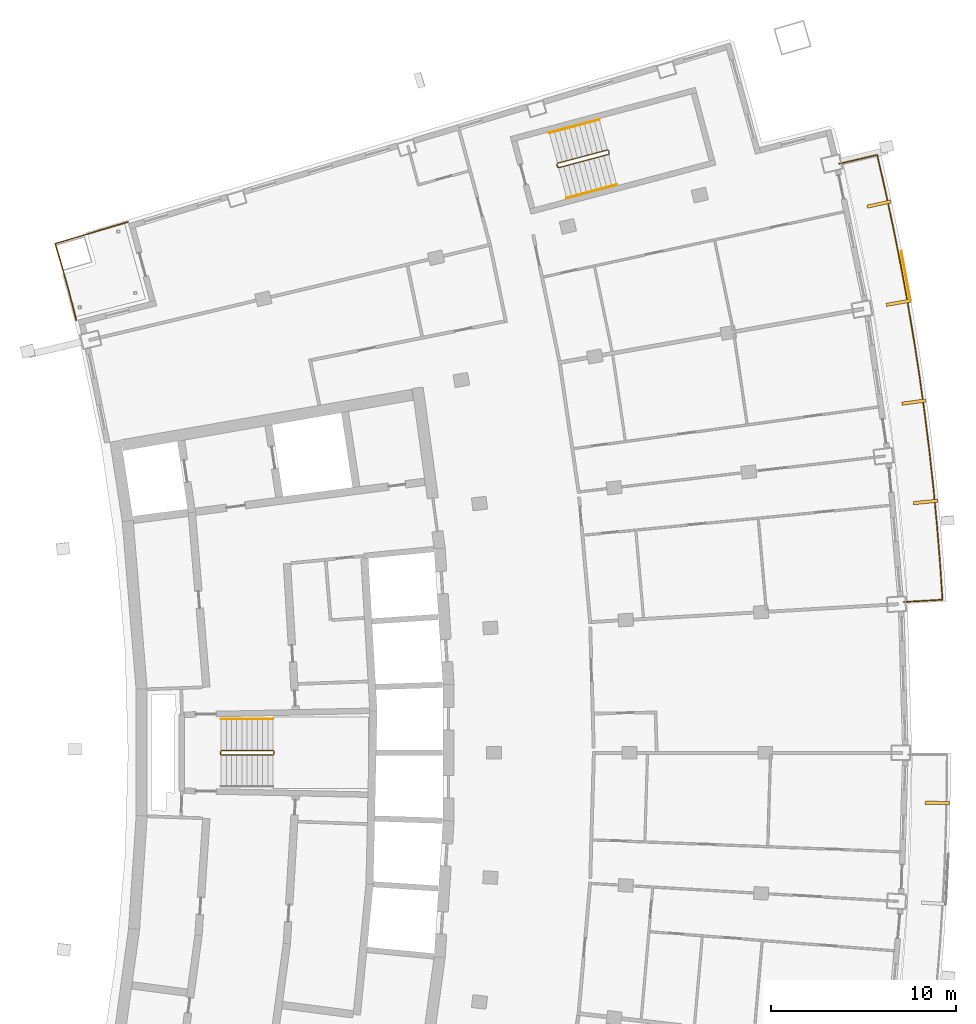
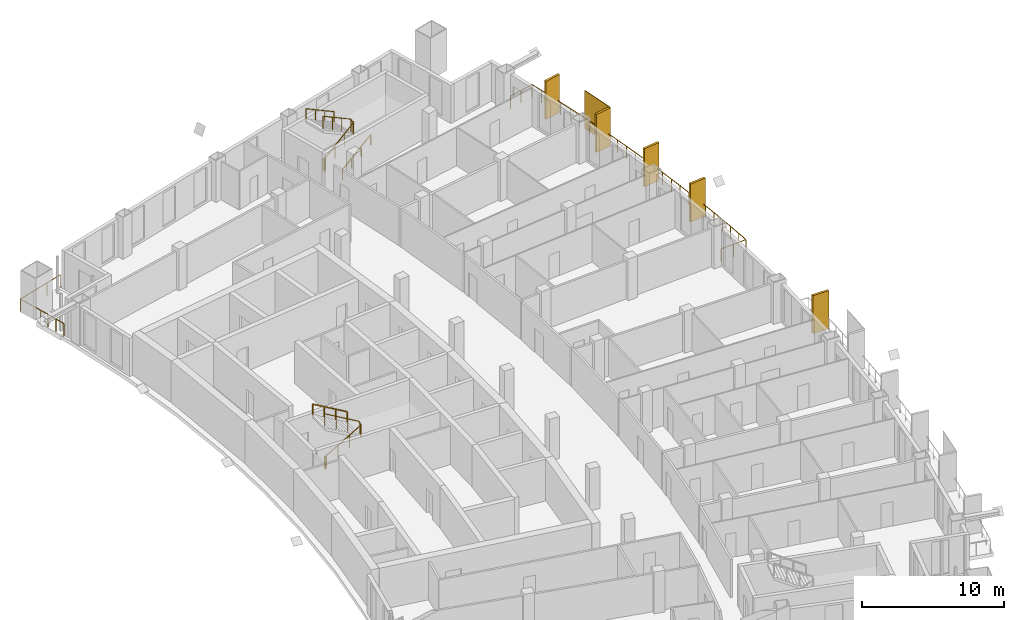
# One storey, part 17 of 17: 7 railings, 6 shading devices.
"""IFC4 building model written with IfcOpenShell, lengths in metres."""

from ifc_helpers import new_model, si_unit, direction, frame, origin, origin_2d, place, context, subcontext, project, spatial, rectangle, extrude, material, layer, layer_set, type_object, element, save


model = new_model("IFC4")

# Units and contexts
model_context = context("Model", 3, precision=1e-05, world=origin(), true_north=direction((0.0, 1.0)))
body_context = subcontext(model_context, "Body", "Model", "MODEL_VIEW")
ifc_project = project(units=[si_unit("LENGTHUNIT", "METRE"), si_unit("AREAUNIT", "SQUARE_METRE"), si_unit("VOLUMEUNIT", "CUBIC_METRE"), si_unit("PLANEANGLEUNIT", "RADIAN"), si_unit("MASSUNIT", "GRAM", prefix="KILO")], contexts=[model_context])

# Site, building, storey
site_placement = place(None, origin())
site = spatial("IfcSite", under=ifc_project, at=site_placement, CompositionType="ELEMENT")
building_placement = place(site_placement, origin())
building = spatial("IfcBuilding", under=site, at=building_placement, Name="Alderwake Tower", CompositionType="ELEMENT")
storey_placement = place(building_placement, frame((0.0, 0.0, 218.0)))
storey = spatial("IfcBuildingStorey", under=building, at=storey_placement, Name="L54", CompositionType="ELEMENT", Elevation=218.0)

# Railings
ifc_material_1 = material(Name="Stainless steel 316 rail and posts", Category="steel")
railing_type_1 = type_object("IfcRailingType", Name="Balcony guard 1100", PredefinedType="GUARDRAIL", material=ifc_material_1)
railing_1_placement = place(storey_placement, frame((57.959228515625, 69.155517578125, 0.0)))
element("IfcRailing", 1, at=railing_1_placement, inside=storey, type_object=railing_type_1, Name="Guard BF08", PredefinedType="GUARDRAIL", context=body_context, shape_type="SweptSolid", body=[
    extrude(rectangle(XDim=0.048095703125, YDim=0.048095703125, at=origin_2d()), frame((0.0, 0.0, 1.076171875), z_axis=(0.998261117553, 0.058946935313, 0.0), x_axis=(-0.058946935313, 0.998261117553, 0.0)), (0.0, 0.0, 1.0), 2.099853515625),
    extrude(rectangle(XDim=0.048095703125, YDim=0.048095703125, at=origin_2d()), frame((2.09619140625, 0.123779296875, 1.076171875), z_axis=(-0.065861216536, 0.997828793008, 0.0), x_axis=(-0.997828793008, -0.065861216536, 0.0)), (0.0, 0.0, 1.0), 1.946044921875),
    extrude(rectangle(XDim=0.048095703125, YDim=0.048095703125, at=origin_2d()), frame((1.968017578125, 2.065673828125, 1.076171875), z_axis=(-0.080191048977, 0.996779512061, 0.0), x_axis=(-0.996779512061, -0.080191048977, 0.0)), (0.0, 0.0, 1.0), 2.0458984375),
    extrude(rectangle(XDim=0.048095703125, YDim=0.048095703125, at=origin_2d()), frame((1.803955078125, 4.10498046875, 1.076171875), z_axis=(-0.094623268612, 0.995513152619, 0.0), x_axis=(-0.995513152619, -0.094623268612, 0.0)), (0.0, 0.0, 1.0), 2.046142578125),
    extrude(rectangle(XDim=0.048095703125, YDim=0.048095703125, at=origin_2d()), frame((1.6103515625, 6.141845703125, 1.076171875), z_axis=(-0.109174253205, 0.994022626723, 0.0), x_axis=(-0.994022626723, -0.109174253205, 0.0)), (0.0, 0.0, 1.0), 2.046142578125),
    extrude(rectangle(XDim=0.048095703125, YDim=0.048095703125, at=origin_2d()), frame((1.386962890625, 8.17578125, 1.076171875), z_axis=(-0.123623502309, 0.992329194208, 0.0), x_axis=(-0.992329194208, -0.123623502309, 0.0)), (0.0, 0.0, 1.0), 2.0458984375),
    extrude(rectangle(XDim=0.048095703125, YDim=0.048095703125, at=origin_2d()), frame((1.134033203125, 10.2060546875, 1.076171875), z_axis=(-0.138062649027, 0.990423497774, 0.0), x_axis=(-0.990423497774, -0.138062649027, 0.0)), (0.0, 0.0, 1.0), 2.0458984375),
    extrude(rectangle(XDim=0.048095703125, YDim=0.048095703125, at=origin_2d()), frame((0.8515625, 12.232421875, 1.076171875), z_axis=(-0.152487539839, 0.988305393183, 0.0), x_axis=(-0.988305393183, -0.152487539839, 0.0)), (0.0, 0.0, 1.0), 2.046142578125),
    extrude(rectangle(XDim=0.048095703125, YDim=0.048095703125, at=origin_2d()), frame((0.53955078125, 14.254638671875, 1.076171875), z_axis=(-0.167049252433, 0.985948552036, 0.0), x_axis=(-0.985948552036, -0.167049252433, 0.0)), (0.0, 0.0, 1.0), 2.046142578125),
    extrude(rectangle(XDim=0.048095703125, YDim=0.048095703125, at=origin_2d()), frame((0.19775390625, 16.27197265625, 1.076171875), z_axis=(-0.181268734219, 0.983433600196, 0.0), x_axis=(-0.983433600196, -0.181268734219, 0.0)), (0.0, 0.0, 1.0), 2.0458984375),
    extrude(rectangle(XDim=0.048095703125, YDim=0.048095703125, at=origin_2d()), frame((-0.173095703125, 18.283935546875, 1.076171875), z_axis=(-0.195565396752, 0.98069066254, 0.0), x_axis=(-0.98069066254, -0.195565396752, 0.0)), (0.0, 0.0, 1.0), 2.046142578125),
    extrude(rectangle(XDim=0.048095703125, YDim=0.048095703125, at=origin_2d()), frame((-0.5732421875, 20.29052734375, 1.076171875), z_axis=(-0.209912112269, 0.977720259135, 0.0), x_axis=(-0.977720259135, -0.209912112269, 0.0)), (0.0, 0.0, 1.0), 2.0458984375),
    extrude(rectangle(XDim=0.048095703125, YDim=0.048095703125, at=origin_2d()), frame((-1.002685546875, 22.290771484375, 1.076171875), z_axis=(-0.22380572243, 0.97463377666, 0.0), x_axis=(-0.97463377666, -0.22380572243, 0.0)), (0.0, 0.0, 1.0), 1.946044921875),
    extrude(rectangle(XDim=0.048095703125, YDim=0.048095703125, at=origin_2d()), frame((-1.438232421875, 24.1875, 1.076171875), z_axis=(-0.973057638874, -0.230561990427, 0.0), x_axis=(0.230561990427, -0.973057638874, 0.0)), (0.0, 0.0, 1.0), 2.099853515625),
    extrude(rectangle(XDim=0.0419921875, YDim=0.0419921875, at=origin_2d()), frame((0.0, 0.0, 0.0), z_axis=(0.0, 0.0, 1.0), x_axis=(0.998261117553, 0.058946935313, 0.0)), (0.0, 0.0, 1.0), 1.052001953125),
    extrude(rectangle(XDim=0.0419921875, YDim=0.0419921875, at=origin_2d()), frame((1.048095703125, 0.06201171875, 0.0), z_axis=(0.0, 0.0, 1.0), x_axis=(0.998261117553, 0.058946935313, 0.0)), (0.0, 0.0, 1.0), 1.052001953125),
    extrude(rectangle(XDim=0.0419921875, YDim=0.0419921875, at=origin_2d()), frame((2.09619140625, 0.123779296875, 0.0), z_axis=(0.0, 0.0, 1.0), x_axis=(-0.065861216536, 0.997828793008, 0.0)), (0.0, 0.0, 1.0), 1.052001953125),
    extrude(rectangle(XDim=0.0419921875, YDim=0.0419921875, at=origin_2d()), frame((2.0322265625, 1.0947265625, 0.0), z_axis=(0.0, 0.0, 1.0), x_axis=(-0.065861216536, 0.997828793008, 0.0)), (0.0, 0.0, 1.0), 1.052001953125),
    extrude(rectangle(XDim=0.0419921875, YDim=0.0419921875, at=origin_2d()), frame((1.968017578125, 2.065673828125, 0.0), z_axis=(0.0, 0.0, 1.0), x_axis=(-0.080191048977, 0.996779512061, 0.0)), (0.0, 0.0, 1.0), 1.052001953125),
    extrude(rectangle(XDim=0.0419921875, YDim=0.0419921875, at=origin_2d()), frame((1.885986328125, 3.08544921875, 0.0), z_axis=(0.0, 0.0, 1.0), x_axis=(-0.080191048977, 0.996779512061, 0.0)), (0.0, 0.0, 1.0), 1.052001953125),
    extrude(rectangle(XDim=0.0419921875, YDim=0.0419921875, at=origin_2d()), frame((1.803955078125, 4.10498046875, 0.0), z_axis=(0.0, 0.0, 1.0), x_axis=(-0.094623268612, 0.995513152619, 0.0)), (0.0, 0.0, 1.0), 1.052001953125),
    extrude(rectangle(XDim=0.0419921875, YDim=0.0419921875, at=origin_2d()), frame((1.70703125, 5.12353515625, 0.0), z_axis=(0.0, 0.0, 1.0), x_axis=(-0.094623268612, 0.995513152619, 0.0)), (0.0, 0.0, 1.0), 1.052001953125),
    extrude(rectangle(XDim=0.0419921875, YDim=0.0419921875, at=origin_2d()), frame((1.6103515625, 6.141845703125, 0.0), z_axis=(0.0, 0.0, 1.0), x_axis=(-0.109174253205, 0.994022626723, 0.0)), (0.0, 0.0, 1.0), 1.052001953125),
    extrude(rectangle(XDim=0.0419921875, YDim=0.0419921875, at=origin_2d()), frame((1.49853515625, 7.15869140625, 0.0), z_axis=(0.0, 0.0, 1.0), x_axis=(-0.109174253205, 0.994022626723, 0.0)), (0.0, 0.0, 1.0), 1.052001953125),
    extrude(rectangle(XDim=0.0419921875, YDim=0.0419921875, at=origin_2d()), frame((1.386962890625, 8.17578125, 0.0), z_axis=(0.0, 0.0, 1.0), x_axis=(-0.123623502309, 0.992329194208, 0.0)), (0.0, 0.0, 1.0), 1.052001953125),
    extrude(rectangle(XDim=0.0419921875, YDim=0.0419921875, at=origin_2d()), frame((1.260498046875, 9.19091796875, 0.0), z_axis=(0.0, 0.0, 1.0), x_axis=(-0.123623502309, 0.992329194208, 0.0)), (0.0, 0.0, 1.0), 1.052001953125),
    extrude(rectangle(XDim=0.0419921875, YDim=0.0419921875, at=origin_2d()), frame((1.134033203125, 10.2060546875, 0.0), z_axis=(0.0, 0.0, 1.0), x_axis=(-0.138062649027, 0.990423497774, 0.0)), (0.0, 0.0, 1.0), 1.052001953125),
    extrude(rectangle(XDim=0.0419921875, YDim=0.0419921875, at=origin_2d()), frame((0.99267578125, 11.21923828125, 0.0), z_axis=(0.0, 0.0, 1.0), x_axis=(-0.138062649027, 0.990423497774, 0.0)), (0.0, 0.0, 1.0), 1.052001953125),
    extrude(rectangle(XDim=0.0419921875, YDim=0.0419921875, at=origin_2d()), frame((0.8515625, 12.232421875, 0.0), z_axis=(0.0, 0.0, 1.0), x_axis=(-0.152487539839, 0.988305393183, 0.0)), (0.0, 0.0, 1.0), 1.052001953125),
    extrude(rectangle(XDim=0.0419921875, YDim=0.0419921875, at=origin_2d()), frame((0.695556640625, 13.24365234375, 0.0), z_axis=(0.0, 0.0, 1.0), x_axis=(-0.152487539839, 0.988305393183, 0.0)), (0.0, 0.0, 1.0), 1.052001953125),
    extrude(rectangle(XDim=0.0419921875, YDim=0.0419921875, at=origin_2d()), frame((0.53955078125, 14.254638671875, 0.0), z_axis=(0.0, 0.0, 1.0), x_axis=(-0.167049252433, 0.985948552036, 0.0)), (0.0, 0.0, 1.0), 1.052001953125),
    extrude(rectangle(XDim=0.0419921875, YDim=0.0419921875, at=origin_2d()), frame((0.36865234375, 15.26318359375, 0.0), z_axis=(0.0, 0.0, 1.0), x_axis=(-0.167049252433, 0.985948552036, 0.0)), (0.0, 0.0, 1.0), 1.052001953125),
    extrude(rectangle(XDim=0.0419921875, YDim=0.0419921875, at=origin_2d()), frame((0.19775390625, 16.27197265625, 0.0), z_axis=(0.0, 0.0, 1.0), x_axis=(-0.181268734219, 0.983433600196, 0.0)), (0.0, 0.0, 1.0), 1.052001953125),
    extrude(rectangle(XDim=0.0419921875, YDim=0.0419921875, at=origin_2d()), frame((0.01220703125, 17.27783203125, 0.0), z_axis=(0.0, 0.0, 1.0), x_axis=(-0.181268734219, 0.983433600196, 0.0)), (0.0, 0.0, 1.0), 1.052001953125),
    extrude(rectangle(XDim=0.0419921875, YDim=0.0419921875, at=origin_2d()), frame((-0.173095703125, 18.283935546875, 0.0), z_axis=(0.0, 0.0, 1.0), x_axis=(-0.195565396752, 0.98069066254, 0.0)), (0.0, 0.0, 1.0), 1.052001953125),
    extrude(rectangle(XDim=0.0419921875, YDim=0.0419921875, at=origin_2d()), frame((-0.373046875, 19.287109375, 0.0), z_axis=(0.0, 0.0, 1.0), x_axis=(-0.195565396752, 0.98069066254, 0.0)), (0.0, 0.0, 1.0), 1.052001953125),
    extrude(rectangle(XDim=0.0419921875, YDim=0.0419921875, at=origin_2d()), frame((-0.5732421875, 20.29052734375, 0.0), z_axis=(0.0, 0.0, 1.0), x_axis=(-0.209912112269, 0.977720259135, 0.0)), (0.0, 0.0, 1.0), 1.052001953125),
    extrude(rectangle(XDim=0.0419921875, YDim=0.0419921875, at=origin_2d()), frame((-0.7880859375, 21.29052734375, 0.0), z_axis=(0.0, 0.0, 1.0), x_axis=(-0.209912112269, 0.977720259135, 0.0)), (0.0, 0.0, 1.0), 1.052001953125),
    extrude(rectangle(XDim=0.0419921875, YDim=0.0419921875, at=origin_2d()), frame((-1.002685546875, 22.290771484375, 0.0), z_axis=(0.0, 0.0, 1.0), x_axis=(-0.22380572243, 0.97463377666, 0.0)), (0.0, 0.0, 1.0), 1.052001953125),
    extrude(rectangle(XDim=0.0419921875, YDim=0.0419921875, at=origin_2d()), frame((-1.220458984375, 23.2392578125, 0.0), z_axis=(0.0, 0.0, 1.0), x_axis=(-0.22380572243, 0.97463377666, 0.0)), (0.0, 0.0, 1.0), 1.052001953125),
    extrude(rectangle(XDim=0.0419921875, YDim=0.0419921875, at=origin_2d()), frame((-1.438232421875, 24.1875, 0.0), z_axis=(0.0, 0.0, 1.0), x_axis=(-0.973057638874, -0.230561990427, 0.0)), (0.0, 0.0, 1.0), 1.052001953125),
    extrude(rectangle(XDim=0.0419921875, YDim=0.0419921875, at=origin_2d()), frame((-2.4599609375, 23.9453125, 0.0), z_axis=(0.0, 0.0, 1.0), x_axis=(-0.973057638874, -0.230561990427, 0.0)), (0.0, 0.0, 1.0), 1.052001953125),
    extrude(rectangle(XDim=0.0419921875, YDim=0.0419921875, at=origin_2d()), frame((-3.4814453125, 23.703369140625, 0.0), z_axis=(0.0, 0.0, 1.0), x_axis=(-0.973057638874, -0.230561990427, 0.0)), (0.0, 0.0, 1.0), 1.052001953125),
])
railing_2_placement = place(storey_placement, frame((13.210693359375, 84.387451171875, 0.0)))
element("IfcRailing", 2, at=railing_2_placement, inside=storey, type_object=railing_type_1, Name="Guard terrace RN", PredefinedType="GUARDRAIL", context=body_context, shape_type="SweptSolid", body=[
    extrude(rectangle(XDim=0.048095703125, YDim=0.048095703125, at=origin_2d()), frame((0.0, 0.0, 1.076171875), z_axis=(-0.251385381433, 0.967887075026, 0.0), x_axis=(-0.967887075026, -0.251385381433, 0.0)), (0.0, 0.0, 1.0), 1.6015625),
    extrude(rectangle(XDim=0.048095703125, YDim=0.048095703125, at=origin_2d()), frame((-0.402587890625, 1.550048828125, 1.076171875), z_axis=(-0.266520638672, 0.963829211615, 0.0), x_axis=(-0.963829211615, -0.266520638672, 0.0)), (0.0, 0.0, 1.0), 1.401611328125),
    extrude(rectangle(XDim=0.048095703125, YDim=0.048095703125, at=origin_2d()), frame((-0.776123046875, 2.90087890625, 1.076171875), z_axis=(-0.280093650878, 0.959972680204, 0.0), x_axis=(-0.959972680204, -0.280093650878, 0.0)), (0.0, 0.0, 1.0), 1.30126953125),
    extrude(rectangle(XDim=0.048095703125, YDim=0.048095703125, at=origin_2d()), frame((-1.140625, 4.150146484375, 1.076171875), z_axis=(0.958066871889, 0.286544706789, 0.0), x_axis=(-0.286544706789, 0.958066871889, 0.0)), (0.0, 0.0, 1.0), 4.099853515625),
    extrude(rectangle(XDim=0.0419921875, YDim=0.0419921875, at=origin_2d()), frame((0.0, 0.0, 0.0), z_axis=(0.0, 0.0, 1.0), x_axis=(-0.251385381433, 0.967887075026, 0.0)), (0.0, 0.0, 1.0), 1.052001953125),
    extrude(rectangle(XDim=0.0419921875, YDim=0.0419921875, at=origin_2d()), frame((-0.201171875, 0.77490234375, 0.0), z_axis=(0.0, 0.0, 1.0), x_axis=(-0.251385381433, 0.967887075026, 0.0)), (0.0, 0.0, 1.0), 1.052001953125),
    extrude(rectangle(XDim=0.0419921875, YDim=0.0419921875, at=origin_2d()), frame((-0.402587890625, 1.550048828125, 0.0), z_axis=(0.0, 0.0, 1.0), x_axis=(-0.266520638672, 0.963829211615, 0.0)), (0.0, 0.0, 1.0), 1.052001953125),
    extrude(rectangle(XDim=0.0419921875, YDim=0.0419921875, at=origin_2d()), frame((-0.58935546875, 2.2255859375, 0.0), z_axis=(0.0, 0.0, 1.0), x_axis=(-0.266520638672, 0.963829211615, 0.0)), (0.0, 0.0, 1.0), 1.052001953125),
    extrude(rectangle(XDim=0.0419921875, YDim=0.0419921875, at=origin_2d()), frame((-0.776123046875, 2.90087890625, 0.0), z_axis=(0.0, 0.0, 1.0), x_axis=(-0.280093650878, 0.959972680204, 0.0)), (0.0, 0.0, 1.0), 1.052001953125),
    extrude(rectangle(XDim=0.0419921875, YDim=0.0419921875, at=origin_2d()), frame((-1.140625, 4.150146484375, 0.0), z_axis=(0.0, 0.0, 1.0), x_axis=(0.958066871889, 0.286544706789, 0.0)), (0.0, 0.0, 1.0), 1.052001953125),
    extrude(rectangle(XDim=0.0419921875, YDim=0.0419921875, at=origin_2d()), frame((0.168701171875, 4.541748046875, 0.0), z_axis=(0.0, 0.0, 1.0), x_axis=(0.958066871889, 0.286544706789, 0.0)), (0.0, 0.0, 1.0), 1.052001953125),
    extrude(rectangle(XDim=0.0419921875, YDim=0.0419921875, at=origin_2d()), frame((1.47802734375, 4.933349609375, 0.0), z_axis=(0.0, 0.0, 1.0), x_axis=(0.958066871889, 0.286544706789, 0.0)), (0.0, 0.0, 1.0), 1.052001953125),
    extrude(rectangle(XDim=0.0419921875, YDim=0.0419921875, at=origin_2d()), frame((2.787353515625, 5.324951171875, 0.0), z_axis=(0.0, 0.0, 1.0), x_axis=(0.958066871889, 0.286544706789, 0.0)), (0.0, 0.0, 1.0), 1.052001953125),
])

# Shading devices
ifc_material_2 = material(Name="Bronze anodised aluminium", Category="aluminium")
ifc_layer_1 = layer(ifc_material_2, 0.179931640625)
ifc_layer_set_1 = layer_set([ifc_layer_1], Name="Facade fin 1300")
shading_device_type_1 = type_object("IfcShadingDeviceType", Name="Facade fin 1300", PredefinedType="USERDEFINED", material=ifc_layer_set_1)
for number, where, z_axis, x_axis, name in (
    (3, (59.773681640625, 58.2880859375, 0.0), (0.0, 0.0, 1.0), (0.999811838809, -0.019398117887, 0.0), "Fin"),
    (4, (59.14013671875, 74.567138671875, 0.0), (0.0, 0.0, 1.0), (0.995279882363, 0.097046152751, 0.0), "Fin"),
    (5, (58.507080078125, 79.968017578125, 0.0), (0.0, 0.0, 1.0), (0.990752577235, 0.135680988728, 0.0), "Fin"),
    (6, (57.664794921875, 85.34033203125, 0.0), (0.0, 0.0, 1.0), (0.984726421654, 0.174108800747, 0.0), "Fin"),
    (7, (56.614013671875, 90.67578125, 0.0), (0.0, 0.0, 1.0), (0.977210363881, 0.212273184185, 0.0), "Fin"),
):
    element("IfcShadingDevice", number, at=place(storey_placement, frame(where, z_axis=z_axis, x_axis=x_axis)), inside=storey, type_object=shading_device_type_1, Name=name, ObjectType="FIN", PredefinedType="USERDEFINED", context=body_context, shape_type="SweptSolid", body=[
        extrude(rectangle(XDim=1.300048828125, YDim=0.179931640625, at=origin_2d()), origin(), (0.0, 0.0, 1.0), 3.280029296875),
    ])
ifc_material_3 = material(Name="Perforated bronze anodised aluminium", Category="aluminium")
ifc_layer_2 = layer(ifc_material_3, 0.050048828125)
ifc_layer_set_2 = layer_set([ifc_layer_2], Name="Perforated screen panel")
shading_device_type_2 = type_object("IfcShadingDeviceType", Name="Perforated screen panel", PredefinedType="USERDEFINED", material=ifc_layer_set_2)
shading_device_placement = place(storey_placement, frame((58.0791015625, 86.79736328125, 0.0), z_axis=(0.0, 0.0, 1.0), x_axis=(0.982991488043, 0.183651121519, 0.0)))
element("IfcShadingDevice", 8, at=shading_device_placement, inside=storey, type_object=shading_device_type_2, Name="Screen panel", ObjectType="SCREEN", PredefinedType="USERDEFINED", context=body_context, shape_type="SweptSolid", body=[
    extrude(rectangle(XDim=0.050048828125, YDim=2.72509765625, at=origin_2d()), origin(), (0.0, 0.0, 1.0), 3.280029296875),
])

# Railings
ifc_material_4 = material(Name="Stainless steel guard", Category="steel")
railing_type_2 = type_object("IfcRailingType", Name="Stair guard 1100", PredefinedType="GUARDRAIL", material=ifc_material_4)
railing_3_placement = place(storey_placement, frame((20.989990234375, 60.925048828125, 0.0)))
element("IfcRailing", 9, at=railing_3_placement, inside=storey, type_object=railing_type_2, Name="L54 ST-B stair guard 1", PredefinedType="GUARDRAIL", context=body_context, shape_type="SweptSolid", body=[
    extrude(rectangle(XDim=0.048095703125, YDim=0.048095703125, at=origin_2d()), frame((0.0, 0.0, 1.076171875), z_axis=(0.0, 1.0, 0.0), x_axis=(-1.0, 0.0, 0.0)), (0.0, 0.0, 1.0), 0.14990234375),
    extrude(rectangle(XDim=0.048095703125, YDim=0.048095703125, at=origin_2d()), frame((0.0, 0.14990234375, 1.076171875), z_axis=(0.190199549216, -0.759870394187, 0.621627795), x_axis=(0.970072785993, 0.242814311512, 0.0)), (0.0, 0.0, 1.0), 0.26318359375),
    extrude(rectangle(XDim=0.048095703125, YDim=0.048095703125, at=origin_2d()), frame((0.050048828125, -0.050048828125, 1.23974609375), z_axis=(0.863360870873, 0.0, 0.504586966384), x_axis=(0.0, 1.0, 0.0)), (0.0, 0.0, 1.0), 3.2431640625),
    extrude(rectangle(XDim=0.048095703125, YDim=0.048095703125, at=origin_2d()), frame((2.85009765625, -0.050048828125, 2.8759765625), z_axis=(0.705375805398, 0.708833529934, 0.0), x_axis=(-0.708833529934, 0.705375805398, 0.0)), (0.0, 0.0, 1.0), 0.070556640625),
    extrude(rectangle(XDim=0.048095703125, YDim=0.048095703125, at=origin_2d()), frame((2.89990234375, 0.0, 2.8759765625), z_axis=(0.0, 1.0, 0.0), x_axis=(-1.0, 0.0, 0.0)), (0.0, 0.0, 1.0), 0.14990234375),
    extrude(rectangle(XDim=0.048095703125, YDim=0.048095703125, at=origin_2d()), frame((2.89990234375, 0.14990234375, 2.8759765625), z_axis=(-0.279546231943, 0.280916556609, 0.91811752648), x_axis=(-0.708833529934, -0.705375805398, 0.0)), (0.0, 0.0, 1.0), 0.17822265625),
    extrude(rectangle(XDim=0.048095703125, YDim=0.048095703125, at=origin_2d()), frame((2.85009765625, 0.199951171875, 3.03955078125), z_axis=(-0.863360870873, 0.0, 0.504586966384), x_axis=(0.0, -1.0, 0.0)), (0.0, 0.0, 1.0), 3.2431640625),
    extrude(rectangle(XDim=0.0419921875, YDim=0.0419921875, at=origin_2d()), frame((0.0, 0.0, 0.0), z_axis=(0.0, 0.0, 1.0), x_axis=(0.0, 1.0, 0.0)), (0.0, 0.0, 1.0), 1.052001953125),
    extrude(rectangle(XDim=0.0419921875, YDim=0.0419921875, at=origin_2d()), frame((0.0, 0.14990234375, 0.0), z_axis=(0.0, 0.0, 1.0), x_axis=(0.242814311512, -0.970072785993, 0.0)), (0.0, 0.0, 1.0), 1.052001953125),
    extrude(rectangle(XDim=0.0419921875, YDim=0.0419921875, at=origin_2d()), frame((0.050048828125, -0.050048828125, 0.16357421875), z_axis=(0.0, 0.0, 1.0), x_axis=(1.0, 0.0, 0.0)), (0.0, 0.0, 1.0), 1.052001953125),
    extrude(rectangle(XDim=0.0419921875, YDim=0.0419921875, at=origin_2d()), frame((0.9833984375, -0.050048828125, 0.708984375), z_axis=(0.0, 0.0, 1.0), x_axis=(1.0, 0.0, 0.0)), (0.0, 0.0, 1.0), 1.052001953125),
    extrude(rectangle(XDim=0.0419921875, YDim=0.0419921875, at=origin_2d()), frame((1.916748046875, -0.050048828125, 1.254638671875), z_axis=(0.0, 0.0, 1.0), x_axis=(1.0, 0.0, 0.0)), (0.0, 0.0, 1.0), 1.052001953125),
    extrude(rectangle(XDim=0.0419921875, YDim=0.0419921875, at=origin_2d()), frame((2.85009765625, -0.050048828125, 1.800048828125), z_axis=(0.0, 0.0, 1.0), x_axis=(0.705375805398, 0.708833529934, 0.0)), (0.0, 0.0, 1.0), 1.052001953125),
    extrude(rectangle(XDim=0.0419921875, YDim=0.0419921875, at=origin_2d()), frame((2.89990234375, 0.0, 1.800048828125), z_axis=(0.0, 0.0, 1.0), x_axis=(0.0, 1.0, 0.0)), (0.0, 0.0, 1.0), 1.052001953125),
    extrude(rectangle(XDim=0.0419921875, YDim=0.0419921875, at=origin_2d()), frame((2.89990234375, 0.14990234375, 1.800048828125), z_axis=(0.0, 0.0, 1.0), x_axis=(-0.705375805398, 0.708833529934, 0.0)), (0.0, 0.0, 1.0), 1.052001953125),
    extrude(rectangle(XDim=0.0419921875, YDim=0.0419921875, at=origin_2d()), frame((2.85009765625, 0.199951171875, 1.963623046875), z_axis=(0.0, 0.0, 1.0), x_axis=(-1.0, 0.0, 0.0)), (0.0, 0.0, 1.0), 1.052001953125),
    extrude(rectangle(XDim=0.0419921875, YDim=0.0419921875, at=origin_2d()), frame((1.916748046875, 0.199951171875, 2.509033203125), z_axis=(0.0, 0.0, 1.0), x_axis=(-1.0, 0.0, 0.0)), (0.0, 0.0, 1.0), 1.052001953125),
    extrude(rectangle(XDim=0.0419921875, YDim=0.0419921875, at=origin_2d()), frame((0.9833984375, 0.199951171875, 3.0546875), z_axis=(0.0, 0.0, 1.0), x_axis=(-1.0, 0.0, 0.0)), (0.0, 0.0, 1.0), 1.052001953125),
    extrude(rectangle(XDim=0.0419921875, YDim=0.0419921875, at=origin_2d()), frame((0.050048828125, 0.199951171875, 3.60009765625), z_axis=(0.0, 0.0, 1.0), x_axis=(-1.0, 0.0, 0.0)), (0.0, 0.0, 1.0), 1.052001953125),
])
railing_4_placement = place(storey_placement, frame((39.23291015625, 92.6806640625, 0.0)))
element("IfcRailing", 10, at=railing_4_placement, inside=storey, type_object=railing_type_2, Name="L54 ST-A stair guard 1", PredefinedType="GUARDRAIL", context=body_context, shape_type="SweptSolid", body=[
    extrude(rectangle(XDim=0.048095703125, YDim=0.048095703125, at=origin_2d()), frame((0.0, 0.0, 1.076171875), z_axis=(-0.257055032184, 0.966396766566, 0.0), x_axis=(-0.966396766566, -0.257055032184, 0.0)), (0.0, 0.0, 1.0), 0.150146484375),
    extrude(rectangle(XDim=0.048095703125, YDim=0.048095703125, at=origin_2d()), frame((-0.03857421875, 0.14501953125, 1.076171875), z_axis=(0.379370725808, -0.685464465458, 0.621463047167), x_axis=(0.874937996095, 0.484234966715, 0.0)), (0.0, 0.0, 1.0), 0.26318359375),
    extrude(rectangle(XDim=0.048095703125, YDim=0.048095703125, at=origin_2d()), frame((0.061279296875, -0.035400390625, 1.23974609375), z_axis=(0.834258940753, 0.22222815314, 0.504605457487), x_axis=(-0.257402139082, 0.966304371715, 0.0)), (0.0, 0.0, 1.0), 3.2431640625),
    extrude(rectangle(XDim=0.048095703125, YDim=0.048095703125, at=origin_2d()), frame((2.766845703125, 0.685302734375, 2.8759765625), z_axis=(0.500220121494, 0.865898279276, 0.0), x_axis=(-0.865898279276, 0.500220121494, 0.0)), (0.0, 0.0, 1.0), 0.07080078125),
    extrude(rectangle(XDim=0.048095703125, YDim=0.048095703125, at=origin_2d()), frame((2.80224609375, 0.74658203125, 2.8759765625), z_axis=(-0.257459803502, 0.966289009345, 0.0), x_axis=(-0.966289009345, -0.257459803502, 0.0)), (0.0, 0.0, 1.0), 0.14990234375),
    extrude(rectangle(XDim=0.048095703125, YDim=0.048095703125, at=origin_2d()), frame((2.763671875, 0.891357421875, 2.8759765625), z_axis=(-0.34252489212, 0.200034536998, 0.917966710881), x_axis=(-0.504300490226, -0.863528236688, 0.0)), (0.0, 0.0, 1.0), 0.17822265625),
    extrude(rectangle(XDim=0.048095703125, YDim=0.048095703125, at=origin_2d()), frame((2.70263671875, 0.927001953125, 3.03955078125), z_axis=(-0.834281824786, -0.222214197128, 0.504573768072), x_axis=(0.257380452725, -0.966310148221, 0.0)), (0.0, 0.0, 1.0), 3.2431640625),
    extrude(rectangle(XDim=0.0419921875, YDim=0.0419921875, at=origin_2d()), frame((0.0, 0.0, 0.0), z_axis=(0.0, 0.0, 1.0), x_axis=(-0.257055032184, 0.966396766566, 0.0)), (0.0, 0.0, 1.0), 1.052001953125),
    extrude(rectangle(XDim=0.0419921875, YDim=0.0419921875, at=origin_2d()), frame((-0.03857421875, 0.14501953125, 0.0), z_axis=(0.0, 0.0, 1.0), x_axis=(0.484234966715, -0.874937996095, 0.0)), (0.0, 0.0, 1.0), 1.052001953125),
    extrude(rectangle(XDim=0.0419921875, YDim=0.0419921875, at=origin_2d()), frame((0.061279296875, -0.035400390625, 0.16357421875), z_axis=(0.0, 0.0, 1.0), x_axis=(0.966304371715, 0.257402139082, 0.0)), (0.0, 0.0, 1.0), 1.052001953125),
    extrude(rectangle(XDim=0.0419921875, YDim=0.0419921875, at=origin_2d()), frame((0.963134765625, 0.204833984375, 0.708984375), z_axis=(0.0, 0.0, 1.0), x_axis=(0.966304371715, 0.257402139082, 0.0)), (0.0, 0.0, 1.0), 1.052001953125),
    extrude(rectangle(XDim=0.0419921875, YDim=0.0419921875, at=origin_2d()), frame((1.864990234375, 0.445068359375, 1.254638671875), z_axis=(0.0, 0.0, 1.0), x_axis=(0.966304371715, 0.257402139082, 0.0)), (0.0, 0.0, 1.0), 1.052001953125),
    extrude(rectangle(XDim=0.0419921875, YDim=0.0419921875, at=origin_2d()), frame((2.766845703125, 0.685302734375, 1.800048828125), z_axis=(0.0, 0.0, 1.0), x_axis=(0.500220121494, 0.865898279276, 0.0)), (0.0, 0.0, 1.0), 1.052001953125),
    extrude(rectangle(XDim=0.0419921875, YDim=0.0419921875, at=origin_2d()), frame((2.80224609375, 0.74658203125, 1.800048828125), z_axis=(0.0, 0.0, 1.0), x_axis=(-0.257459803502, 0.966289009345, 0.0)), (0.0, 0.0, 1.0), 1.052001953125),
    extrude(rectangle(XDim=0.0419921875, YDim=0.0419921875, at=origin_2d()), frame((2.763671875, 0.891357421875, 1.800048828125), z_axis=(0.0, 0.0, 1.0), x_axis=(-0.863528236688, 0.504300490226, 0.0)), (0.0, 0.0, 1.0), 1.052001953125),
    extrude(rectangle(XDim=0.0419921875, YDim=0.0419921875, at=origin_2d()), frame((2.70263671875, 0.927001953125, 1.963623046875), z_axis=(0.0, 0.0, 1.0), x_axis=(-0.966310148221, -0.257380452725, 0.0)), (0.0, 0.0, 1.0), 1.052001953125),
    extrude(rectangle(XDim=0.0419921875, YDim=0.0419921875, at=origin_2d()), frame((1.80078125, 0.686767578125, 2.509033203125), z_axis=(0.0, 0.0, 1.0), x_axis=(-0.966310148221, -0.257380452725, 0.0)), (0.0, 0.0, 1.0), 1.052001953125),
    extrude(rectangle(XDim=0.0419921875, YDim=0.0419921875, at=origin_2d()), frame((0.898681640625, 0.446533203125, 3.0546875), z_axis=(0.0, 0.0, 1.0), x_axis=(-0.966310148221, -0.257380452725, 0.0)), (0.0, 0.0, 1.0), 1.052001953125),
    extrude(rectangle(XDim=0.0419921875, YDim=0.0419921875, at=origin_2d()), frame((-0.003173828125, 0.206298828125, 3.60009765625), z_axis=(0.0, 0.0, 1.0), x_axis=(-0.966310148221, -0.257380452725, 0.0)), (0.0, 0.0, 1.0), 1.052001953125),
])
ifc_material_5 = material(Name="Stainless steel handrail", Category="steel")
railing_type_3 = type_object("IfcRailingType", Name="Stair handrail 900", PredefinedType="HANDRAIL", material=ifc_material_5)
railing_5_placement = place(storey_placement, frame((23.840087890625, 62.824951171875, 1.963623046875)))
element("IfcRailing", 11, at=railing_5_placement, inside=storey, type_object=railing_type_3, Name="L54 ST-B stair handrail 2", PredefinedType="HANDRAIL", context=body_context, shape_type="SweptSolid", body=[
    extrude(rectangle(XDim=0.048095703125, YDim=0.048095703125, at=origin_2d()), frame((0.0, 0.0, 0.8759765625), z_axis=(-0.863360870873, 0.0, 0.504586966384), x_axis=(0.0, -1.0, 0.0)), (0.0, 0.0, 1.0), 3.2431640625),
    extrude(rectangle(XDim=0.0419921875, YDim=0.0419921875, at=origin_2d()), frame((0.0, 0.0, 0.0), z_axis=(0.0, 0.0, 1.0), x_axis=(-1.0, 0.0, 0.0)), (0.0, 0.0, 1.0), 0.851806640625),
    extrude(rectangle(XDim=0.0419921875, YDim=0.0419921875, at=origin_2d()), frame((-0.933349609375, 0.0, 0.54541015625), z_axis=(0.0, 0.0, 1.0), x_axis=(-1.0, 0.0, 0.0)), (0.0, 0.0, 1.0), 0.851806640625),
    extrude(rectangle(XDim=0.0419921875, YDim=0.0419921875, at=origin_2d()), frame((-1.86669921875, 0.0, 1.091064453125), z_axis=(0.0, 0.0, 1.0), x_axis=(-1.0, 0.0, 0.0)), (0.0, 0.0, 1.0), 0.851806640625),
    extrude(rectangle(XDim=0.0419921875, YDim=0.0419921875, at=origin_2d()), frame((-2.800048828125, 0.0, 1.636474609375), z_axis=(0.0, 0.0, 1.0), x_axis=(-1.0, 0.0, 0.0)), (0.0, 0.0, 1.0), 0.851806640625),
])
railing_6_placement = place(storey_placement, frame((39.731689453125, 91.002685546875, 0.16357421875)))
element("IfcRailing", 12, at=railing_6_placement, inside=storey, type_object=railing_type_3, Name="L54 ST-A stair handrail 1", PredefinedType="HANDRAIL", context=body_context, shape_type="SweptSolid", body=[
    extrude(rectangle(XDim=0.048095703125, YDim=0.048095703125, at=origin_2d()), frame((0.0, 0.0, 0.8759765625), z_axis=(0.834258940753, 0.22222815314, 0.504605457487), x_axis=(-0.257402139082, 0.966304371715, 0.0)), (0.0, 0.0, 1.0), 3.2431640625),
    extrude(rectangle(XDim=0.0419921875, YDim=0.0419921875, at=origin_2d()), frame((0.0, 0.0, 0.0), z_axis=(0.0, 0.0, 1.0), x_axis=(0.966304371715, 0.257402139082, 0.0)), (0.0, 0.0, 1.0), 0.851806640625),
    extrude(rectangle(XDim=0.0419921875, YDim=0.0419921875, at=origin_2d()), frame((0.90185546875, 0.240234375, 0.54541015625), z_axis=(0.0, 0.0, 1.0), x_axis=(0.966304371715, 0.257402139082, 0.0)), (0.0, 0.0, 1.0), 0.851806640625),
    extrude(rectangle(XDim=0.0419921875, YDim=0.0419921875, at=origin_2d()), frame((1.8037109375, 0.48046875, 1.091064453125), z_axis=(0.0, 0.0, 1.0), x_axis=(0.966304371715, 0.257402139082, 0.0)), (0.0, 0.0, 1.0), 0.851806640625),
    extrude(rectangle(XDim=0.0419921875, YDim=0.0419921875, at=origin_2d()), frame((2.70556640625, 0.720703125, 1.636474609375), z_axis=(0.0, 0.0, 1.0), x_axis=(0.966304371715, 0.257402139082, 0.0)), (0.0, 0.0, 1.0), 0.851806640625),
])
railing_7_placement = place(storey_placement, frame((41.497802734375, 95.250244140625, 1.963623046875)))
element("IfcRailing", 13, at=railing_7_placement, inside=storey, type_object=railing_type_3, Name="L54 ST-A stair handrail 2", PredefinedType="HANDRAIL", context=body_context, shape_type="SweptSolid", body=[
    extrude(rectangle(XDim=0.048095703125, YDim=0.048095703125, at=origin_2d()), frame((0.0, 0.0, 0.8759765625), z_axis=(-0.834258940753, -0.22222815314, 0.504605457487), x_axis=(0.257402139082, -0.966304371715, 0.0)), (0.0, 0.0, 1.0), 3.2431640625),
    extrude(rectangle(XDim=0.0419921875, YDim=0.0419921875, at=origin_2d()), frame((0.0, 0.0, 0.0), z_axis=(0.0, 0.0, 1.0), x_axis=(-0.966304371715, -0.257402139082, 0.0)), (0.0, 0.0, 1.0), 0.851806640625),
    extrude(rectangle(XDim=0.0419921875, YDim=0.0419921875, at=origin_2d()), frame((-0.90185546875, -0.240234375, 0.54541015625), z_axis=(0.0, 0.0, 1.0), x_axis=(-0.966304371715, -0.257402139082, 0.0)), (0.0, 0.0, 1.0), 0.851806640625),
    extrude(rectangle(XDim=0.0419921875, YDim=0.0419921875, at=origin_2d()), frame((-1.8037109375, -0.48046875, 1.091064453125), z_axis=(0.0, 0.0, 1.0), x_axis=(-0.966304371715, -0.257402139082, 0.0)), (0.0, 0.0, 1.0), 0.851806640625),
    extrude(rectangle(XDim=0.0419921875, YDim=0.0419921875, at=origin_2d()), frame((-2.70556640625, -0.720703125, 1.636474609375), z_axis=(0.0, 0.0, 1.0), x_axis=(-0.966304371715, -0.257402139082, 0.0)), (0.0, 0.0, 1.0), 0.851806640625),
])

save(model, "model.ifc")
